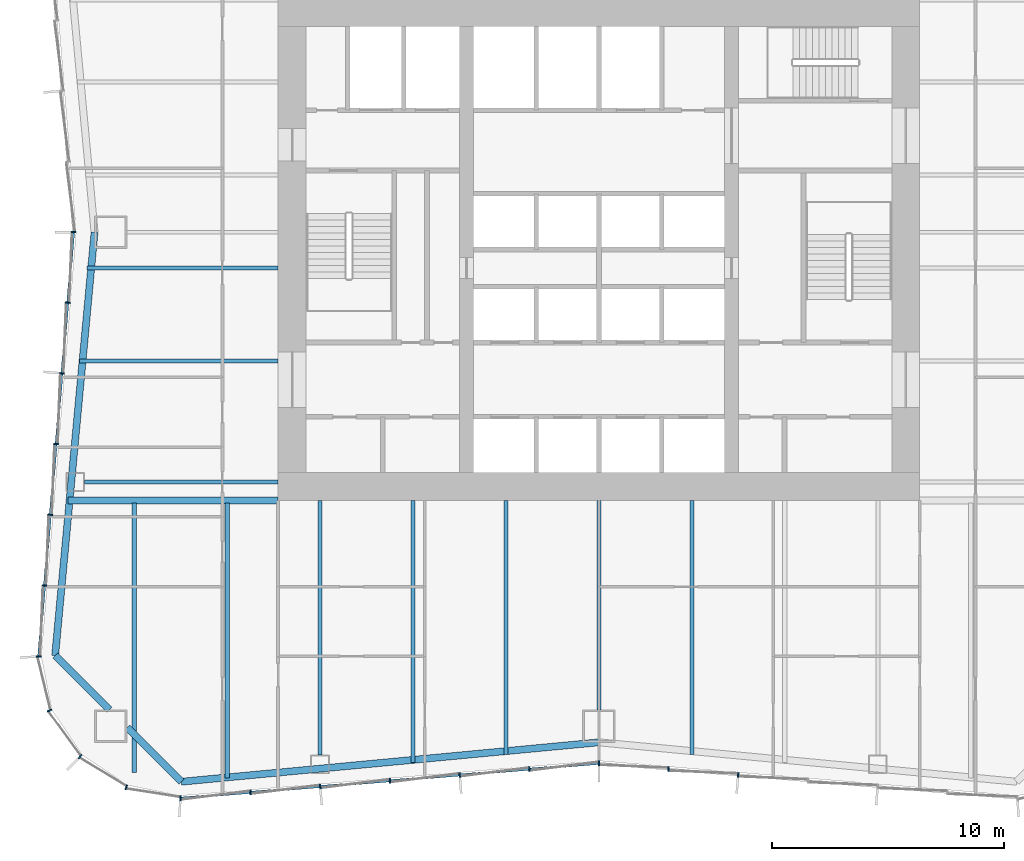
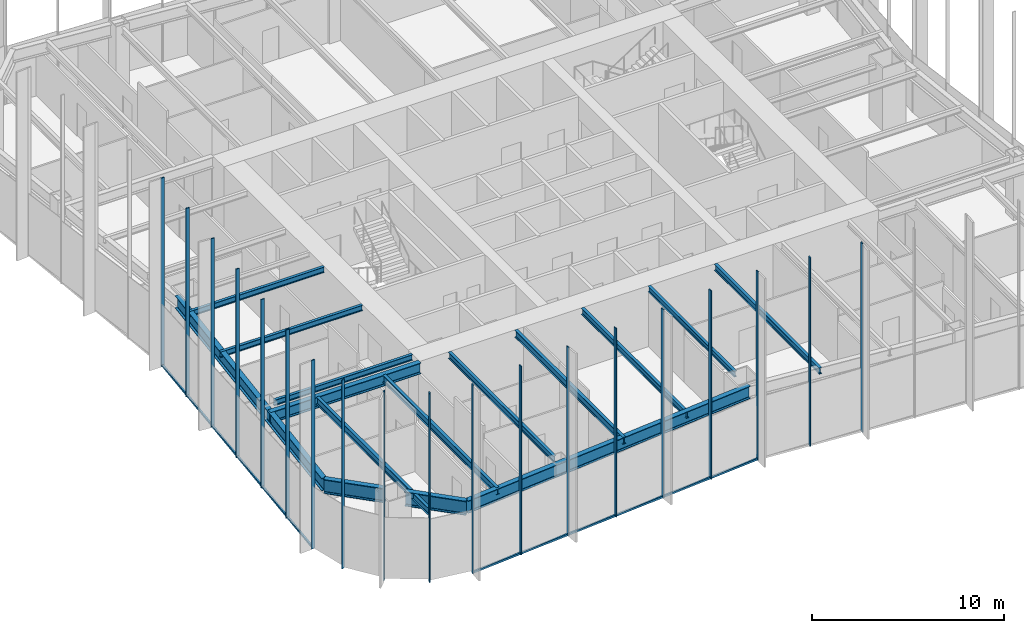
# One storey, part 2 of 13: 21 members, 15 beams, 3 elements without a shape of their own.
"""IFC4 building model written with IfcOpenShell, lengths in metres."""

from ifc_helpers import new_model, si_unit, direction, frame, origin, origin_2d, place, context, subcontext, project, spatial, rectangle, i_section, extrude, material, material_profile, profile_set, type_object, element, aggregate, save


model = new_model("IFC4")

# Units and contexts
model_context = context("Model", 3, precision=1e-05, world=origin(), true_north=direction((0.0, 1.0)))
body_context = subcontext(model_context, "Body", "Model", "MODEL_VIEW")
ifc_project = project(units=[si_unit("LENGTHUNIT", "METRE"), si_unit("AREAUNIT", "SQUARE_METRE"), si_unit("VOLUMEUNIT", "CUBIC_METRE"), si_unit("PLANEANGLEUNIT", "RADIAN"), si_unit("MASSUNIT", "GRAM", prefix="KILO")], contexts=[model_context])

# Site, building, storey
site_placement = place(None, origin())
site = spatial("IfcSite", under=ifc_project, at=site_placement, CompositionType="ELEMENT")
building_placement = place(site_placement, origin())
building = spatial("IfcBuilding", under=site, at=building_placement, Name="Verdant Reach Tower", CompositionType="ELEMENT")
storey_placement = place(building_placement, frame((0.0, 0.0, 94.0)))
storey = spatial("IfcBuildingStorey", under=building, at=storey_placement, Name="L21", CompositionType="ELEMENT", Elevation=94.0)

# Curtain wall, members
ifc_material_1 = material(Name="Anodised aluminium", Category="aluminium")
curtain_wall_type = type_object("IfcCurtainWallType", Name="EN-CW SYSTEM Z1", PredefinedType="NOTDEFINED", material=ifc_material_1)
curtain_wall_1_placement = place(storey_placement, origin())
curtain_wall_1 = element("IfcCurtainWall", 1, at=curtain_wall_1_placement, inside=storey, type_object=curtain_wall_type, Name="Curtain wall west, L21", PredefinedType="NOTDEFINED")
ifc_material_profile_1 = material_profile(ifc_material_1, rectangle(XDim=0.2060546875, YDim=0.06201171875, at=origin_2d()), Name="Mullion 62x206")
ifc_profile_set_1 = profile_set([ifc_material_profile_1], Name="Anodised aluminium")
member_type_1 = type_object("IfcMemberType", Name="EN-MULLION Z1", PredefinedType="MULLION", material=ifc_profile_set_1)
member_1_placement = place(storey_placement, frame((-22.60302734375, 28.75, -0.35009765625), z_axis=(0.0, 0.0, 1.0), x_axis=(-1.0, 0.0, 0.0)))
member_1 = element("IfcMember", 2, at=member_1_placement, type_object=member_type_1, Name="Mullion west face part 2 1, L21", PredefinedType="MULLION", context=body_context, shape_type="SweptSolid", body=[
    extrude(rectangle(XDim=0.2060546875, YDim=0.06201171875, at=origin_2d()), origin(), (0.0, 0.0, 1.0), 12.0),
])
member_2_placement = place(storey_placement, frame((-22.8525390625, 25.716796875, -0.35009765625), z_axis=(0.0, 0.0, 1.0), x_axis=(-0.996639273542, 0.081915556724, 0.0)))
member_2 = element("IfcMember", 3, at=member_2_placement, type_object=member_type_1, Name="Mullion west face part 2 2, L21", PredefinedType="MULLION", context=body_context, shape_type="SweptSolid", body=[
    extrude(rectangle(XDim=0.2060546875, YDim=0.06201171875, at=origin_2d()), origin(), (0.0, 0.0, 1.0), 12.0),
])
member_3_placement = place(storey_placement, frame((-23.1025390625, 22.675048828125, -0.35009765625), z_axis=(0.0, 0.0, 1.0), x_axis=(-0.996639273542, 0.081915556724, 0.0)))
member_3 = element("IfcMember", 4, at=member_3_placement, type_object=member_type_1, Name="Mullion west face part 2 3, L21", PredefinedType="MULLION", context=body_context, shape_type="SweptSolid", body=[
    extrude(rectangle(XDim=0.2060546875, YDim=0.06201171875, at=origin_2d()), origin(), (0.0, 0.0, 1.0), 12.0),
])
member_4_placement = place(storey_placement, frame((-23.3525390625, 19.633544921875, -0.35009765625), z_axis=(0.0, 0.0, 1.0), x_axis=(-0.996639273542, 0.081915556724, 0.0)))
member_4 = element("IfcMember", 5, at=member_4_placement, type_object=member_type_1, Name="Mullion west face part 2 4, L21", PredefinedType="MULLION", context=body_context, shape_type="SweptSolid", body=[
    extrude(rectangle(XDim=0.2060546875, YDim=0.06201171875, at=origin_2d()), origin(), (0.0, 0.0, 1.0), 12.0),
])
member_5_placement = place(storey_placement, frame((-23.6025390625, 16.591796875, -0.35009765625), z_axis=(0.0, 0.0, 1.0), x_axis=(-0.996639273542, 0.081915556724, 0.0)))
member_5 = element("IfcMember", 6, at=member_5_placement, type_object=member_type_1, Name="Mullion west face part 2 5, L21", PredefinedType="MULLION", context=body_context, shape_type="SweptSolid", body=[
    extrude(rectangle(XDim=0.2060546875, YDim=0.06201171875, at=origin_2d()), origin(), (0.0, 0.0, 1.0), 12.0),
])
member_6_placement = place(storey_placement, frame((-23.8525390625, 13.550048828125, -0.35009765625), z_axis=(0.0, 0.0, 1.0), x_axis=(-0.996639273542, 0.081915556724, 0.0)))
member_6 = element("IfcMember", 7, at=member_6_placement, type_object=member_type_1, Name="Mullion west face part 2 6, L21", PredefinedType="MULLION", context=body_context, shape_type="SweptSolid", body=[
    extrude(rectangle(XDim=0.2060546875, YDim=0.06201171875, at=origin_2d()), origin(), (0.0, 0.0, 1.0), 12.0),
])

curtain_wall_2_placement = place(storey_placement, origin())
curtain_wall_2 = element("IfcCurtainWall", 8, at=curtain_wall_2_placement, inside=storey, type_object=curtain_wall_type, Name="Curtain wall south-west corner, L21", PredefinedType="NOTDEFINED")
member_7_placement = place(storey_placement, frame((-24.102783203125, 10.494140625, -0.35009765625), z_axis=(0.0, 0.0, 1.0), x_axis=(-0.998366452275, -0.057135164055, 0.0)))
member_7 = element("IfcMember", 9, at=member_7_placement, type_object=member_type_1, Name="Mullion south-west corner 1, L21", PredefinedType="MULLION", context=body_context, shape_type="SweptSolid", body=[
    extrude(rectangle(XDim=0.2060546875, YDim=0.06201171875, at=origin_2d()), origin(), (0.0, 0.0, 1.0), 12.0),
])
member_8_placement = place(storey_placement, frame((-23.638427734375, 8.16455078125, -0.35009765625), z_axis=(0.0, 0.0, 1.0), x_axis=(-0.923875215753, -0.382693853776, 0.0)))
member_8 = element("IfcMember", 10, at=member_8_placement, type_object=member_type_1, Name="Mullion south-west corner 2, L21", PredefinedType="MULLION", context=body_context, shape_type="SweptSolid", body=[
    extrude(rectangle(XDim=0.2060546875, YDim=0.06201171875, at=origin_2d()), origin(), (0.0, 0.0, 1.0), 12.0),
])
member_9_placement = place(storey_placement, frame((-22.3154296875, 6.1845703125, -0.35009765625), z_axis=(0.0, 0.0, 1.0), x_axis=(-0.707106781187, -0.707106781187, 0.0)))
member_9 = element("IfcMember", 11, at=member_9_placement, type_object=member_type_1, Name="Mullion south-west corner 3, L21", PredefinedType="MULLION", context=body_context, shape_type="SweptSolid", body=[
    extrude(rectangle(XDim=0.2060546875, YDim=0.06201171875, at=origin_2d()), origin(), (0.0, 0.0, 1.0), 12.0),
])
member_10_placement = place(storey_placement, frame((-20.33544921875, 4.861572265625, -0.35009765625), z_axis=(0.0, 0.0, 1.0), x_axis=(-0.382693853776, -0.923875215753, 0.0)))
member_10 = element("IfcMember", 12, at=member_10_placement, type_object=member_type_1, Name="Mullion south-west corner 4, L21", PredefinedType="MULLION", context=body_context, shape_type="SweptSolid", body=[
    extrude(rectangle(XDim=0.2060546875, YDim=0.06201171875, at=origin_2d()), origin(), (0.0, 0.0, 1.0), 12.0),
])
aggregate(curtain_wall_2, [member_7, member_8, member_9, member_10])

curtain_wall_3_placement = place(storey_placement, origin())
curtain_wall_3 = element("IfcCurtainWall", 13, at=curtain_wall_3_placement, inside=storey, type_object=curtain_wall_type, Name="Curtain wall south, L21", PredefinedType="NOTDEFINED")
member_11_placement = place(storey_placement, frame((-18.005859375, 4.397216796875, -0.35009765625), z_axis=(0.0, 0.0, 1.0), x_axis=(-0.056569187765, -0.998398681387, 0.0)))
member_11 = element("IfcMember", 14, at=member_11_placement, type_object=member_type_1, Name="Mullion south face part 1 1, L21", PredefinedType="MULLION", context=body_context, shape_type="SweptSolid", body=[
    extrude(rectangle(XDim=0.2060546875, YDim=0.06201171875, at=origin_2d()), origin(), (0.0, 0.0, 1.0), 12.0),
])
member_12_placement = place(storey_placement, frame((-14.991455078125, 4.6474609375, -0.35009765625), z_axis=(0.0, 0.0, 1.0), x_axis=(0.083045479859, -0.996545758244, 0.0)))
member_12 = element("IfcMember", 15, at=member_12_placement, type_object=member_type_1, Name="Mullion south face part 1 2, L21", PredefinedType="MULLION", context=body_context, shape_type="SweptSolid", body=[
    extrude(rectangle(XDim=0.2060546875, YDim=0.06201171875, at=origin_2d()), origin(), (0.0, 0.0, 1.0), 12.0),
])
member_13_placement = place(storey_placement, frame((-11.991455078125, 4.8974609375, -0.35009765625), z_axis=(0.0, 0.0, 1.0), x_axis=(0.083045479859, -0.996545758244, 0.0)))
member_13 = element("IfcMember", 16, at=member_13_placement, type_object=member_type_1, Name="Mullion south face part 1 3, L21", PredefinedType="MULLION", context=body_context, shape_type="SweptSolid", body=[
    extrude(rectangle(XDim=0.2060546875, YDim=0.06201171875, at=origin_2d()), origin(), (0.0, 0.0, 1.0), 12.0),
])
member_14_placement = place(storey_placement, frame((-8.991455078125, 5.1474609375, -0.35009765625), z_axis=(0.0, 0.0, 1.0), x_axis=(0.083045479859, -0.996545758244, 0.0)))
member_14 = element("IfcMember", 17, at=member_14_placement, type_object=member_type_1, Name="Mullion south face part 1 4, L21", PredefinedType="MULLION", context=body_context, shape_type="SweptSolid", body=[
    extrude(rectangle(XDim=0.2060546875, YDim=0.06201171875, at=origin_2d()), origin(), (0.0, 0.0, 1.0), 12.0),
])
member_15_placement = place(storey_placement, frame((-5.991455078125, 5.3974609375, -0.35009765625), z_axis=(0.0, 0.0, 1.0), x_axis=(0.083045479859, -0.996545758244, 0.0)))
member_15 = element("IfcMember", 18, at=member_15_placement, type_object=member_type_1, Name="Mullion south face part 1 5, L21", PredefinedType="MULLION", context=body_context, shape_type="SweptSolid", body=[
    extrude(rectangle(XDim=0.2060546875, YDim=0.06201171875, at=origin_2d()), origin(), (0.0, 0.0, 1.0), 12.0),
])
member_16_placement = place(storey_placement, frame((-2.991455078125, 5.6474609375, -0.35009765625), z_axis=(0.0, 0.0, 1.0), x_axis=(0.083045479859, -0.996545758244, 0.0)))
member_16 = element("IfcMember", 19, at=member_16_placement, type_object=member_type_1, Name="Mullion south face part 1 6, L21", PredefinedType="MULLION", context=body_context, shape_type="SweptSolid", body=[
    extrude(rectangle(XDim=0.2060546875, YDim=0.06201171875, at=origin_2d()), origin(), (0.0, 0.0, 1.0), 12.0),
])
member_17_placement = place(storey_placement, frame((0.0, 5.89697265625, -0.35009765625), z_axis=(0.0, 0.0, 1.0), x_axis=(0.0, -1.0, 0.0)))
member_17 = element("IfcMember", 20, at=member_17_placement, type_object=member_type_1, Name="Mullion south face part 2 1, L21", PredefinedType="MULLION", context=body_context, shape_type="SweptSolid", body=[
    extrude(rectangle(XDim=0.2060546875, YDim=0.06201171875, at=origin_2d()), origin(), (0.0, 0.0, 1.0), 12.0),
])
member_18_placement = place(storey_placement, frame((2.991455078125, 5.6474609375, -0.35009765625), z_axis=(0.0, 0.0, 1.0), x_axis=(-0.083045479859, -0.996545758244, 0.0)))
member_18 = element("IfcMember", 21, at=member_18_placement, type_object=member_type_1, Name="Mullion south face part 2 2, L21", PredefinedType="MULLION", context=body_context, shape_type="SweptSolid", body=[
    extrude(rectangle(XDim=0.2060546875, YDim=0.06201171875, at=origin_2d()), origin(), (0.0, 0.0, 1.0), 12.0),
])
member_19_placement = place(storey_placement, frame((5.991455078125, 5.3974609375, -0.35009765625), z_axis=(0.0, 0.0, 1.0), x_axis=(-0.083045479859, -0.996545758244, 0.0)))
member_19 = element("IfcMember", 22, at=member_19_placement, type_object=member_type_1, Name="Mullion south face part 2 3, L21", PredefinedType="MULLION", context=body_context, shape_type="SweptSolid", body=[
    extrude(rectangle(XDim=0.2060546875, YDim=0.06201171875, at=origin_2d()), origin(), (0.0, 0.0, 1.0), 12.0),
])

# Member
ifc_material_profile_2 = material_profile(ifc_material_1, rectangle(XDim=0.10009765625, YDim=0.1220703125, at=origin_2d()), Name="Transom 122x100")
ifc_profile_set_2 = profile_set([ifc_material_profile_2], Name="Anodised aluminium")
member_type_2 = type_object("IfcMemberType", Name="EN-TRANSOM Z1", PredefinedType="USERDEFINED", material=ifc_profile_set_2)
member_20_placement = place(storey_placement, frame((-22.60546875, 28.718994140625, -0.2890625), z_axis=(-0.081886623329, -0.996641651207, 0.0), x_axis=(0.996641651207, -0.081886623329, 0.0)))
member_20 = element("IfcMember", 23, at=member_20_placement, type_object=member_type_2, Name="Transom west face part 2 1.1, L21", ObjectType="TRANSOM", PredefinedType="USERDEFINED", context=body_context, shape_type="SweptSolid", body=[
    extrude(rectangle(XDim=0.10009765625, YDim=0.1220703125, at=origin_2d()), origin(), (0.0, 0.0, 1.0), 18.25537109375),
])

aggregate(curtain_wall_1, [member_1, member_2, member_3, member_4, member_5, member_6, member_20])

member_21_placement = place(storey_placement, frame((-17.974853515625, 4.399658203125, -0.2890625), z_axis=(0.996547815143, 0.083020793384, 0.0), x_axis=(-0.083020793384, 0.996547815143, 0.0)))
member_21 = element("IfcMember", 24, at=member_21_placement, type_object=member_type_2, Name="Transom south face part 1 1.1, L21", ObjectType="TRANSOM", PredefinedType="USERDEFINED", context=body_context, shape_type="SweptSolid", body=[
    extrude(rectangle(XDim=0.10009765625, YDim=0.1220703125, at=origin_2d()), origin(), (0.0, 0.0, 1.0), 18.006103515625),
])

aggregate(curtain_wall_3, [member_11, member_12, member_13, member_14, member_15, member_16, member_21, member_17, member_18, member_19])

# Beams
ifc_material_2 = material(Name="Steel S355", Category="steel")
ifc_material_profile_3 = material_profile(ifc_material_2, i_section(OverallWidth=0.300048828125, OverallDepth=0.699951171875, WebThickness=0.01708984375, FlangeThickness=0.031982421875, FilletRadius=0.027099609375, at=origin_2d()), Name="HEB 700")
ifc_profile_set_3 = profile_set([ifc_material_profile_3], Name="Steel S355")
beam_type_1 = type_object("IfcBeamType", Name="ST-BEAM-HEB700", PredefinedType="BEAM", material=ifc_profile_set_3)
beam_1_placement = place(storey_placement, frame((-13.800048828125, 17.199951171875, 3.52001953125), z_axis=(-1.0, 0.0, 0.0), x_axis=(0.0, -1.0, 0.0)))
element("IfcBeam", 25, at=beam_1_placement, inside=storey, type_object=beam_type_1, Name="Trimmer beam, L21", PredefinedType="BEAM", context=body_context, shape_type="SweptSolid", body=[
    extrude(i_section(OverallWidth=0.300048828125, OverallDepth=0.699951171875, WebThickness=0.01708984375, FlangeThickness=0.031982421875, FilletRadius=0.027099609375, at=origin_2d()), origin(), (0.0, 0.0, 1.0), 9.04736328125),
])
ifc_material_profile_4 = material_profile(ifc_material_2, i_section(OverallWidth=0.169921875, OverallDepth=0.360107421875, WebThickness=0.008056640625, FlangeThickness=0.0126953125, FilletRadius=0.01806640625, at=origin_2d()), Name="IPE 360")
ifc_profile_set_4 = profile_set([ifc_material_profile_4], Name="Steel S355")
beam_type_2 = type_object("IfcBeamType", Name="ST-JOIST-IPE360", PredefinedType="JOIST", material=ifc_profile_set_4)
beam_2_placement = place(storey_placement, frame((0.0, 17.199951171875, 3.68994140625), z_axis=(0.0, -1.0, 0.0), x_axis=(1.0, 0.0, 0.0)))
element("IfcBeam", 26, at=beam_2_placement, inside=storey, type_object=beam_type_2, Name="Floor joist, L21", PredefinedType="JOIST", context=body_context, shape_type="SweptSolid", body=[
    extrude(i_section(OverallWidth=0.169921875, OverallDepth=0.360107421875, WebThickness=0.008056640625, FlangeThickness=0.0126953125, FilletRadius=0.01806640625, at=origin_2d()), origin(), (0.0, 0.0, 1.0), 9.0),
])
beam_3_placement = place(storey_placement, frame((-13.800048828125, 18.0, 3.68994140625), z_axis=(-1.0, 0.0, 0.0), x_axis=(0.0, -1.0, 0.0)))
element("IfcBeam", 27, at=beam_3_placement, inside=storey, type_object=beam_type_2, Name="Floor joist, L21", PredefinedType="JOIST", context=body_context, shape_type="SweptSolid", body=[
    extrude(i_section(OverallWidth=0.169921875, OverallDepth=0.360107421875, WebThickness=0.008056640625, FlangeThickness=0.0126953125, FilletRadius=0.01806640625, at=origin_2d()), origin(), (0.0, 0.0, 1.0), 8.33349609375),
])
beam_4_placement = place(storey_placement, frame((-13.800048828125, 23.199951171875, 3.68994140625), z_axis=(-1.0, 0.0, 0.0), x_axis=(0.0, -1.0, 0.0)))
element("IfcBeam", 28, at=beam_4_placement, inside=storey, type_object=beam_type_2, Name="Floor joist, L21", PredefinedType="JOIST", context=body_context, shape_type="SweptSolid", body=[
    extrude(i_section(OverallWidth=0.169921875, OverallDepth=0.360107421875, WebThickness=0.008056640625, FlangeThickness=0.0126953125, FilletRadius=0.01806640625, at=origin_2d()), origin(), (0.0, 0.0, 1.0), 8.553955078125),
])
beam_5_placement = place(storey_placement, frame((-13.800048828125, 27.199951171875, 3.68994140625), z_axis=(-1.0, 0.0, 0.0), x_axis=(0.0, -1.0, 0.0)))
element("IfcBeam", 29, at=beam_5_placement, inside=storey, type_object=beam_type_2, Name="Floor joist, L21", PredefinedType="JOIST", context=body_context, shape_type="SweptSolid", body=[
    extrude(i_section(OverallWidth=0.169921875, OverallDepth=0.360107421875, WebThickness=0.008056640625, FlangeThickness=0.0126953125, FilletRadius=0.01806640625, at=origin_2d()), origin(), (0.0, 0.0, 1.0), 8.225341796875),
])
ifc_material_profile_5 = material_profile(ifc_material_2, i_section(OverallWidth=0.179931640625, OverallDepth=0.39990234375, WebThickness=0.008544921875, FlangeThickness=0.013427734375, FilletRadius=0.02099609375, at=origin_2d()), Name="IPE 400")
ifc_profile_set_5 = profile_set([ifc_material_profile_5], Name="Steel S355")
beam_type_3 = type_object("IfcBeamType", Name="ST-JOIST-IPE400", PredefinedType="JOIST", material=ifc_profile_set_5)
beam_6_placement = place(storey_placement, frame((-12.0, 17.199951171875, 3.669921875), z_axis=(0.0, -1.0, 0.0), x_axis=(1.0, 0.0, 0.0)))
element("IfcBeam", 30, at=beam_6_placement, inside=storey, type_object=beam_type_3, Name="Floor joist, L21", PredefinedType="JOIST", context=body_context, shape_type="SweptSolid", body=[
    extrude(i_section(OverallWidth=0.179931640625, OverallDepth=0.39990234375, WebThickness=0.008544921875, FlangeThickness=0.013427734375, FilletRadius=0.02099609375, at=origin_2d()), origin(), (0.0, 0.0, 1.0), 10.949951171875),
])
for number, where, z_axis, x_axis, name in (
    (31, (-4.0, 17.199951171875, 3.669921875), (0.0, -1.0, 0.0), (1.0, 0.0, 0.0), "Floor joist, L21"),
    (32, (4.0, 17.199951171875, 3.669921875), (0.0, -1.0, 0.0), (1.0, 0.0, 0.0), "Floor joist, L21"),
):
    element("IfcBeam", number, at=place(storey_placement, frame(where, z_axis=z_axis, x_axis=x_axis)), inside=storey, type_object=beam_type_3, Name=name, PredefinedType="JOIST", context=body_context, shape_type="SweptSolid", body=[
        extrude(i_section(OverallWidth=0.179931640625, OverallDepth=0.39990234375, WebThickness=0.008544921875, FlangeThickness=0.013427734375, FilletRadius=0.02099609375, at=origin_2d()), origin(), (0.0, 0.0, 1.0), 10.93115234375),
    ])
ifc_material_profile_6 = material_profile(ifc_material_2, i_section(OverallWidth=0.18994140625, OverallDepth=0.449951171875, WebThickness=0.009521484375, FlangeThickness=0.0146484375, FilletRadius=0.02099609375, at=origin_2d()), Name="IPE 450")
ifc_profile_set_6 = profile_set([ifc_material_profile_6], Name="Steel S355")
beam_type_4 = type_object("IfcBeamType", Name="ST-JOIST-IPE450", PredefinedType="JOIST", material=ifc_profile_set_6)
beam_7_placement = place(storey_placement, frame((-20.0, 17.10009765625, 3.64501953125), z_axis=(0.0, -1.0, 0.0), x_axis=(1.0, 0.0, 0.0)))
element("IfcBeam", 33, at=beam_7_placement, inside=storey, type_object=beam_type_4, Name="Floor joist, L21", PredefinedType="JOIST", context=body_context, shape_type="SweptSolid", body=[
    extrude(i_section(OverallWidth=0.18994140625, OverallDepth=0.449951171875, WebThickness=0.009521484375, FlangeThickness=0.0146484375, FilletRadius=0.02099609375, at=origin_2d()), origin(), (0.0, 0.0, 1.0), 11.590576171875),
])
beam_8_placement = place(storey_placement, frame((-16.0, 17.10009765625, 3.64501953125), z_axis=(0.0, -1.0, 0.0), x_axis=(1.0, 0.0, 0.0)))
element("IfcBeam", 34, at=beam_8_placement, inside=storey, type_object=beam_type_4, Name="Floor joist, L21", PredefinedType="JOIST", context=body_context, shape_type="SweptSolid", body=[
    extrude(i_section(OverallWidth=0.18994140625, OverallDepth=0.449951171875, WebThickness=0.009521484375, FlangeThickness=0.0146484375, FilletRadius=0.02099609375, at=origin_2d()), origin(), (0.0, 0.0, 1.0), 11.831298828125),
])
beam_9_placement = place(storey_placement, frame((-8.0, 17.199951171875, 3.64501953125), z_axis=(0.0, -1.0, 0.0), x_axis=(1.0, 0.0, 0.0)))
element("IfcBeam", 35, at=beam_9_placement, inside=storey, type_object=beam_type_4, Name="Floor joist, L21", PredefinedType="JOIST", context=body_context, shape_type="SweptSolid", body=[
    extrude(i_section(OverallWidth=0.18994140625, OverallDepth=0.449951171875, WebThickness=0.009521484375, FlangeThickness=0.0146484375, FilletRadius=0.02099609375, at=origin_2d()), origin(), (0.0, 0.0, 1.0), 11.2646484375),
])
ifc_material_profile_7 = material_profile(ifc_material_2, i_section(OverallWidth=0.300048828125, OverallDepth=0.800048828125, WebThickness=0.017578125, FlangeThickness=0.032958984375, FilletRadius=0.030029296875, at=origin_2d()), Name="HEB 800")
ifc_profile_set_7 = profile_set([ifc_material_profile_7], Name="Steel S355")
beam_type_5 = type_object("IfcBeamType", Name="ST-SPANDREL-HEB800", PredefinedType="SPANDREL", material=ifc_profile_set_7)
beam_10_placement = place(storey_placement, frame((0.0, 6.800048828125, 3.469970703125), z_axis=(-0.995578571765, -0.093932462137, 0.0), x_axis=(0.093932462137, -0.995578571765, 0.0)))
element("IfcBeam", 36, at=beam_10_placement, inside=storey, type_object=beam_type_5, Name="Edge beam, L21", PredefinedType="SPANDREL", context=body_context, shape_type="SweptSolid", body=[
    extrude(i_section(OverallWidth=0.300048828125, OverallDepth=0.800048828125, WebThickness=0.017578125, FlangeThickness=0.032958984375, FilletRadius=0.030029296875, at=origin_2d()), origin(), (0.0, 0.0, 1.0), 18.045654296875),
])
beam_11_placement = place(storey_placement, frame((-23.39501953125, 10.53466796875, 3.469970703125), z_axis=(0.092656907618, 0.995698095544, 0.0), x_axis=(-0.995698095544, 0.092656907618, 0.0)))
element("IfcBeam", 37, at=beam_11_placement, inside=storey, type_object=beam_type_5, Name="Edge beam, L21", PredefinedType="SPANDREL", context=body_context, shape_type="SweptSolid", body=[
    extrude(i_section(OverallWidth=0.300048828125, OverallDepth=0.800048828125, WebThickness=0.017578125, FlangeThickness=0.032958984375, FilletRadius=0.030029296875, at=origin_2d()), origin(), (0.0, 0.0, 1.0), 18.2939453125),
])
ifc_material_profile_8 = material_profile(ifc_material_2, i_section(OverallWidth=0.302001953125, OverallDepth=0.909912109375, WebThickness=0.02099609375, FlangeThickness=0.0400390625, FilletRadius=0.030029296875, at=origin_2d()), Name="HEM 900")
ifc_profile_set_8 = profile_set([ifc_material_profile_8], Name="Steel S355")
beam_type_6 = type_object("IfcBeamType", Name="ST-SPANDREL-HEM900", PredefinedType="SPANDREL", material=ifc_profile_set_8)
beam_12_placement = place(storey_placement, frame((-17.9658203125, 5.10498046875, 3.4150390625), z_axis=(-0.707106781187, 0.707106781187, 0.0), x_axis=(-0.707106781187, -0.707106781187, 0.0)))
element("IfcBeam", 38, at=beam_12_placement, inside=storey, type_object=beam_type_6, Name="Edge beam, L21", PredefinedType="SPANDREL", context=body_context, shape_type="SweptSolid", body=[
    extrude(i_section(OverallWidth=0.302001953125, OverallDepth=0.909912109375, WebThickness=0.02099609375, FlangeThickness=0.0400390625, FilletRadius=0.030029296875, at=origin_2d()), origin(), (0.0, 0.0, 1.0), 3.301025390625),
])
beam_13_placement = place(storey_placement, frame((-21.060546875, 8.199951171875, 3.4150390625), z_axis=(-0.707069807316, 0.707143753123, 0.0), x_axis=(-0.707143753123, -0.707069807316, 0.0)))
element("IfcBeam", 39, at=beam_13_placement, inside=storey, type_object=beam_type_6, Name="Edge beam, L21", PredefinedType="SPANDREL", context=body_context, shape_type="SweptSolid", body=[
    extrude(i_section(OverallWidth=0.302001953125, OverallDepth=0.909912109375, WebThickness=0.02099609375, FlangeThickness=0.0400390625, FilletRadius=0.030029296875, at=origin_2d()), origin(), (0.0, 0.0, 1.0), 3.301513671875),
])

save(model, "model.ifc")
